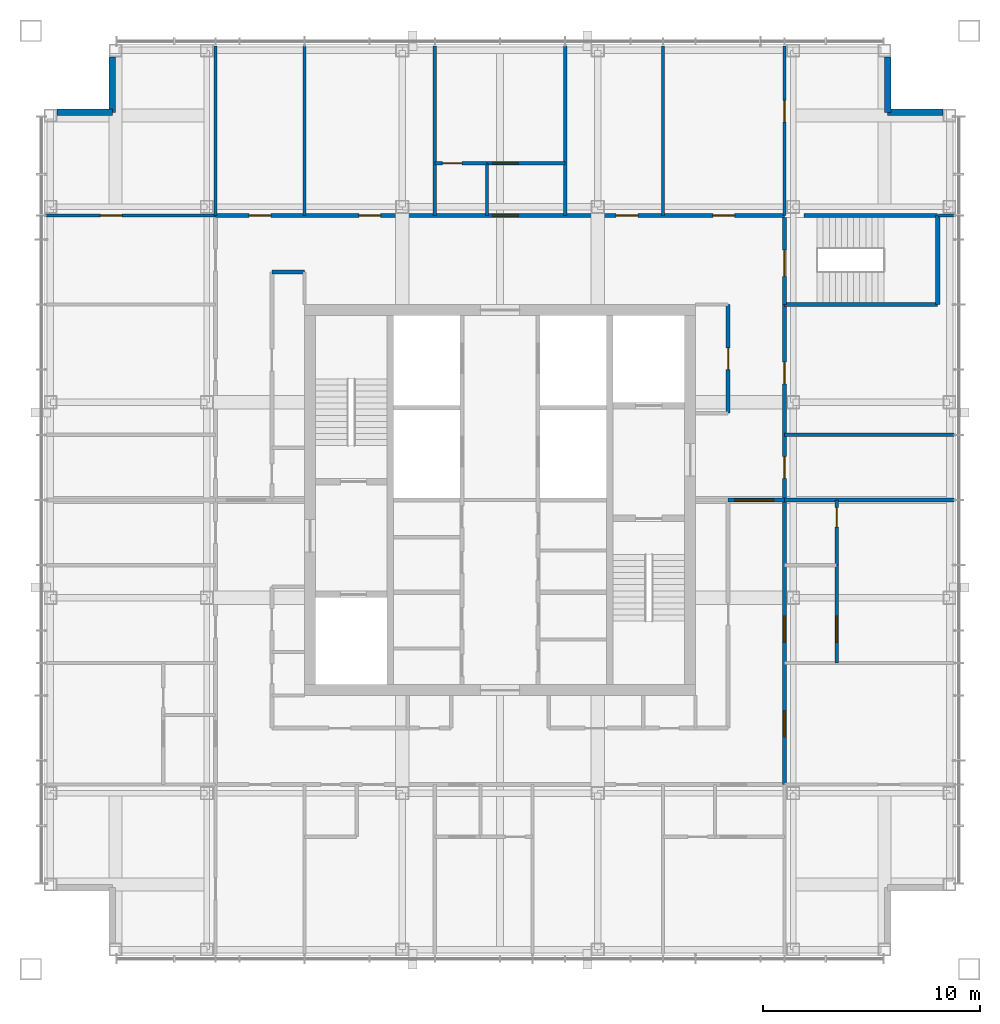
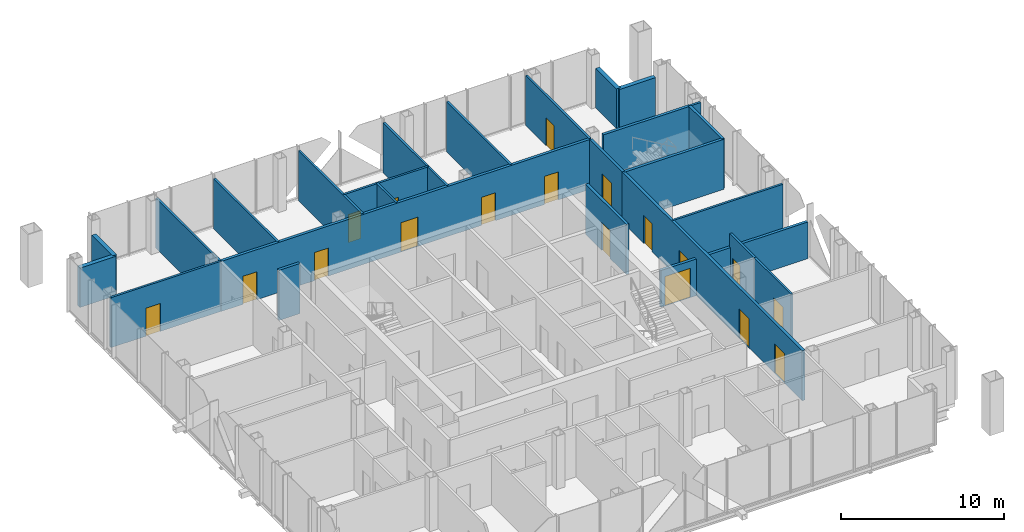
# One storey, part 10 of 12: 28 walls, 18 doors, 18 openings.
"""IFC4 building model written with IfcOpenShell, lengths in metres."""

from ifc_helpers import new_model, si_unit, direction, frame, frame_2d, origin, place, context, subcontext, project, spatial, rectangle, extrude, material, layer, layer_set, type_object, element, fill, save


model = new_model("IFC4")

# Units and contexts
model_context = context("Model", 3, precision=1e-05, world=origin(), true_north=direction((0.0, 1.0)))
body_context = subcontext(model_context, "Body", "Model", "MODEL_VIEW")
ifc_project = project(units=[si_unit("LENGTHUNIT", "METRE"), si_unit("AREAUNIT", "SQUARE_METRE"), si_unit("VOLUMEUNIT", "CUBIC_METRE"), si_unit("PLANEANGLEUNIT", "RADIAN"), si_unit("MASSUNIT", "GRAM", prefix="KILO")], contexts=[model_context])

# Site, building, storey
site_placement = place(None, origin())
site = spatial("IfcSite", under=ifc_project, at=site_placement, CompositionType="ELEMENT")
building_placement = place(site_placement, origin())
building = spatial("IfcBuilding", under=site, at=building_placement, Name="Malebo Sky Hospital", CompositionType="ELEMENT")
storey_placement = place(building_placement, frame((0.0, 0.0, 266.0)))
storey = spatial("IfcBuildingStorey", under=building, at=storey_placement, Name="L64", CompositionType="ELEMENT", Elevation=266.0)

# Wall, openings, doors
ifc_material_1 = material(Name="Gypsum board on steel studs", Category="steel")
ifc_layer_1 = layer(ifc_material_1, 0.199951171875)
ifc_layer_set_1 = layer_set([ifc_layer_1], Name="CORRIDOR WALL 200")
wall_type_1 = type_object("IfcWallType", Name="CORRIDOR WALL 200", PredefinedType="PARTITIONING", material=ifc_layer_set_1)
wall_1_placement = place(storey_placement, frame((46.89990234375, 75.10009765625, 0.0), z_axis=(0.0, 0.0, 1.0), x_axis=(1.0, 0.0, 0.0)))
wall_1 = element("IfcWall", 1, at=wall_1_placement, inside=storey, type_object=wall_type_1, Name="Corridor Wall 200 NCO", PredefinedType="PARTITIONING", context=body_context, shape_type="SweptSolid", body=[
    extrude(rectangle(XDim=26.2001953125, YDim=0.199951171875, at=frame_2d((13.10009765625, 0.0))), origin(), (0.0, 0.0, 1.0), 3.75),
])
opening_1_placement = place(wall_1_placement, frame((1.550048828125, 0.0, 0.0)))
opening_1 = element("IfcOpeningElement", 2, at=opening_1_placement, cuts=wall_1, Name="Opening D03", PredefinedType="OPENING", context=body_context, shape_type="SweptSolid", body=[
    extrude(rectangle(XDim=1.0, YDim=2.10009765625, at=frame_2d((0.5, 1.050048828125))), frame((0.0, 0.10986328125, 0.0), z_axis=(0.0, -1.0, 0.0), x_axis=(1.0, 0.0, 0.0)), (0.0, 0.0, 1.0), 0.219970703125),
])
opening_2_placement = place(wall_1_placement, frame((6.60009765625, 0.0, 0.0)))
opening_2 = element("IfcOpeningElement", 3, at=opening_2_placement, cuts=wall_1, Name="Opening D03", PredefinedType="OPENING", context=body_context, shape_type="SweptSolid", body=[
    extrude(rectangle(XDim=1.0, YDim=2.10009765625, at=frame_2d((0.5, 1.050048828125))), frame((0.0, 0.10986328125, 0.0), z_axis=(0.0, -1.0, 0.0), x_axis=(1.0, 0.0, 0.0)), (0.0, 0.0, 1.0), 0.219970703125),
])
opening_3_placement = place(wall_1_placement, frame((12.75, 0.0, 0.0)))
opening_3 = element("IfcOpeningElement", 4, at=opening_3_placement, cuts=wall_1, Name="Opening D18", PredefinedType="OPENING", context=body_context, shape_type="SweptSolid", body=[
    extrude(rectangle(XDim=1.199951171875, YDim=2.199951171875, at=frame_2d((0.60009765625, 1.10009765625))), frame((0.0, 0.10986328125, 0.0), z_axis=(0.0, -1.0, 0.0), x_axis=(1.0, 0.0, 0.0)), (0.0, 0.0, 1.0), 0.219970703125),
])
opening_4_placement = place(wall_1_placement, frame((18.449951171875, 0.0, 0.0)))
opening_4 = element("IfcOpeningElement", 5, at=opening_4_placement, cuts=wall_1, Name="Opening D03", PredefinedType="OPENING", context=body_context, shape_type="SweptSolid", body=[
    extrude(rectangle(XDim=1.0, YDim=2.10009765625, at=frame_2d((0.5, 1.050048828125))), frame((0.0, 0.10986328125, 0.0), z_axis=(0.0, -1.0, 0.0), x_axis=(1.0, 0.0, 0.0)), (0.0, 0.0, 1.0), 0.219970703125),
])
opening_5_placement = place(wall_1_placement, frame((22.89990234375, 0.0, 0.0)))
opening_5 = element("IfcOpeningElement", 6, at=opening_5_placement, cuts=wall_1, Name="Opening D03", PredefinedType="OPENING", context=body_context, shape_type="SweptSolid", body=[
    extrude(rectangle(XDim=1.0, YDim=2.10009765625, at=frame_2d((0.5, 1.050048828125))), frame((0.0, 0.10986328125, 0.0), z_axis=(0.0, -1.0, 0.0), x_axis=(1.0, 0.0, 0.0)), (0.0, 0.0, 1.0), 0.219970703125),
])
ifc_material_2 = material(Name="Hardwood-faced door leaf in steel frame", Category="steel")
door_type_1 = type_object("IfcDoorType", Name="ANTEROOM DOOR 1200", OperationType="SINGLE_SWING_LEFT", PredefinedType="DOOR", material=ifc_material_2)
door_1_placement = place(opening_3_placement, origin())
door_1 = element("IfcDoor", 7, at=door_1_placement, inside=storey, type_object=door_type_1, Name="Anteroom door", OperationType="SINGLE_SWING_LEFT", OverallHeight=2.199951171875, OverallWidth=1.199951171875, PredefinedType="DOOR", context=body_context, shape_type="SweptSolid", body=[
    extrude(rectangle(XDim=1.199951171875, YDim=2.199951171875, at=frame_2d((0.60009765625, 1.10009765625))), frame((0.0, 0.02490234375, 0.0), z_axis=(0.0, -1.0, 0.0), x_axis=(1.0, 0.0, 0.0)), (0.0, 0.0, 1.0), 0.050048828125),
])
fill(opening_3, door_1)
door_type_2 = type_object("IfcDoorType", Name="ROOM DOOR 1000", OperationType="SINGLE_SWING_LEFT", PredefinedType="DOOR", material=ifc_material_2)
door_2_placement = place(opening_1_placement, origin())
door_2 = element("IfcDoor", 8, at=door_2_placement, inside=storey, type_object=door_type_2, Name="Nurse station door", OperationType="SINGLE_SWING_LEFT", OverallHeight=2.10009765625, OverallWidth=1.0, PredefinedType="DOOR", context=body_context, shape_type="SweptSolid", body=[
    extrude(rectangle(XDim=1.0, YDim=2.10009765625, at=frame_2d((0.5, 1.050048828125))), frame((0.0, 0.02490234375, 0.0), z_axis=(0.0, -1.0, 0.0), x_axis=(1.0, 0.0, 0.0)), (0.0, 0.0, 1.0), 0.050048828125),
])
fill(opening_1, door_2)
door_3_placement = place(opening_2_placement, origin())
door_3 = element("IfcDoor", 9, at=door_3_placement, inside=storey, type_object=door_type_2, Name="Clean utility room door", OperationType="SINGLE_SWING_LEFT", OverallHeight=2.10009765625, OverallWidth=1.0, PredefinedType="DOOR", context=body_context, shape_type="SweptSolid", body=[
    extrude(rectangle(XDim=1.0, YDim=2.10009765625, at=frame_2d((0.5, 1.050048828125))), frame((0.0, 0.02490234375, 0.0), z_axis=(0.0, -1.0, 0.0), x_axis=(1.0, 0.0, 0.0)), (0.0, 0.0, 1.0), 0.050048828125),
])
fill(opening_2, door_3)
door_4_placement = place(opening_4_placement, origin())
door_4 = element("IfcDoor", 10, at=door_4_placement, inside=storey, type_object=door_type_2, Name="Dirty utility room door", OperationType="SINGLE_SWING_RIGHT", OverallHeight=2.10009765625, OverallWidth=1.0, PredefinedType="DOOR", context=body_context, shape_type="SweptSolid", body=[
    extrude(rectangle(XDim=1.0, YDim=2.10009765625, at=frame_2d((0.5, 1.050048828125))), frame((0.0, 0.02490234375, 0.0), z_axis=(0.0, -1.0, 0.0), x_axis=(1.0, 0.0, 0.0)), (0.0, 0.0, 1.0), 0.050048828125),
])
fill(opening_4, door_4)
door_5_placement = place(opening_5_placement, origin())
door_5 = element("IfcDoor", 11, at=door_5_placement, inside=storey, type_object=door_type_2, Name="Patient day room door", OperationType="SINGLE_SWING_RIGHT", OverallHeight=2.10009765625, OverallWidth=1.0, PredefinedType="DOOR", context=body_context, shape_type="SweptSolid", body=[
    extrude(rectangle(XDim=1.0, YDim=2.10009765625, at=frame_2d((0.5, 1.050048828125))), frame((0.0, 0.02490234375, 0.0), z_axis=(0.0, -1.0, 0.0), x_axis=(1.0, 0.0, 0.0)), (0.0, 0.0, 1.0), 0.050048828125),
])
fill(opening_5, door_5)

# Wall
wall_2_placement = place(storey_placement, frame((49.5, 72.5, 0.0), z_axis=(0.0, 0.0, 1.0), x_axis=(1.0, 0.0, 0.0)))
element("IfcWall", 12, at=wall_2_placement, inside=storey, type_object=wall_type_1, Name="Corridor Wall 200 NCIK", PredefinedType="PARTITIONING", context=body_context, shape_type="SweptSolid", body=[
    extrude(rectangle(XDim=1.5, YDim=0.199951171875, at=frame_2d((0.75, 0.0))), origin(), (0.0, 0.0, 1.0), 3.75),
])

# Wall, openings, doors
wall_3_placement = place(storey_placement, frame((73.10009765625, 71.0, 0.0), z_axis=(0.0, 0.0, 1.0), x_axis=(0.0, -1.0, 0.0)))
wall_3 = element("IfcWall", 13, at=wall_3_placement, inside=storey, type_object=wall_type_1, Name="Corridor Wall 200 ECO", PredefinedType="PARTITIONING", context=body_context, shape_type="SweptSolid", body=[
    extrude(rectangle(XDim=22.10009765625, YDim=0.199951171875, at=frame_2d((11.050048828125, 0.0))), origin(), (0.0, 0.0, 1.0), 3.75),
])
opening_6_placement = place(wall_3_placement, frame((2.64990234375, 0.0, 0.0)))
opening_6 = element("IfcOpeningElement", 14, at=opening_6_placement, cuts=wall_3, Name="Opening D03", PredefinedType="OPENING", context=body_context, shape_type="SweptSolid", body=[
    extrude(rectangle(XDim=1.0, YDim=2.10009765625, at=frame_2d((0.5, 1.050048828125))), frame((0.0, 0.10986328125, 0.0), z_axis=(0.0, -1.0, 0.0), x_axis=(1.0, 0.0, 0.0)), (0.0, 0.0, 1.0), 0.219970703125),
])
opening_7_placement = place(wall_3_placement, frame((7.0, 0.0, 0.0)))
opening_7 = element("IfcOpeningElement", 15, at=opening_7_placement, cuts=wall_3, Name="Opening D03", PredefinedType="OPENING", context=body_context, shape_type="SweptSolid", body=[
    extrude(rectangle(XDim=1.0, YDim=2.10009765625, at=frame_2d((0.5, 1.050048828125))), frame((0.0, 0.10986328125, 0.0), z_axis=(0.0, -1.0, 0.0), x_axis=(1.0, 0.0, 0.0)), (0.0, 0.0, 1.0), 0.219970703125),
])
opening_8_placement = place(wall_3_placement, frame((14.35009765625, 0.0, 0.0)))
opening_8 = element("IfcOpeningElement", 16, at=opening_8_placement, cuts=wall_3, Name="Opening D18", PredefinedType="OPENING", context=body_context, shape_type="SweptSolid", body=[
    extrude(rectangle(XDim=1.199951171875, YDim=2.199951171875, at=frame_2d((0.60009765625, 1.10009765625))), frame((0.0, 0.10986328125, 0.0), z_axis=(0.0, -1.0, 0.0), x_axis=(1.0, 0.0, 0.0)), (0.0, 0.0, 1.0), 0.219970703125),
])
opening_9_placement = place(wall_3_placement, frame((18.699951171875, 0.0, 0.0)))
opening_9 = element("IfcOpeningElement", 17, at=opening_9_placement, cuts=wall_3, Name="Opening D01", PredefinedType="OPENING", context=body_context, shape_type="SweptSolid", body=[
    extrude(rectangle(XDim=1.199951171875, YDim=2.199951171875, at=frame_2d((0.60009765625, 1.10009765625))), frame((0.0, 0.10986328125, 0.0), z_axis=(0.0, -1.0, 0.0), x_axis=(1.0, 0.0, 0.0)), (0.0, 0.0, 1.0), 0.219970703125),
])
door_6_placement = place(opening_8_placement, origin())
door_6 = element("IfcDoor", 18, at=door_6_placement, inside=storey, type_object=door_type_1, Name="Anteroom door", OperationType="SINGLE_SWING_RIGHT", OverallHeight=2.199951171875, OverallWidth=1.199951171875, PredefinedType="DOOR", context=body_context, shape_type="SweptSolid", body=[
    extrude(rectangle(XDim=1.199951171875, YDim=2.199951171875, at=frame_2d((0.60009765625, 1.10009765625))), frame((0.0, 0.02490234375, 0.0), z_axis=(0.0, -1.0, 0.0), x_axis=(1.0, 0.0, 0.0)), (0.0, 0.0, 1.0), 0.050048828125),
])
fill(opening_8, door_6)
door_type_3 = type_object("IfcDoorType", Name="BED DOOR 1200", OperationType="SINGLE_SWING_LEFT", PredefinedType="DOOR", material=ifc_material_2)
door_7_placement = place(opening_9_placement, origin())
door_7 = element("IfcDoor", 19, at=door_7_placement, inside=storey, type_object=door_type_3, Name="Dining room door", OperationType="SINGLE_SWING_RIGHT", OverallHeight=2.199951171875, OverallWidth=1.199951171875, PredefinedType="DOOR", context=body_context, shape_type="SweptSolid", body=[
    extrude(rectangle(XDim=1.199951171875, YDim=2.199951171875, at=frame_2d((0.60009765625, 1.10009765625))), frame((0.0, 0.02490234375, 0.0), z_axis=(0.0, -1.0, 0.0), x_axis=(1.0, 0.0, 0.0)), (0.0, 0.0, 1.0), 0.050048828125),
])
fill(opening_9, door_7)
door_8_placement = place(opening_6_placement, origin())
door_8 = element("IfcDoor", 20, at=door_8_placement, inside=storey, type_object=door_type_2, Name="Relatives' room door", OperationType="SINGLE_SWING_RIGHT", OverallHeight=2.10009765625, OverallWidth=1.0, PredefinedType="DOOR", context=body_context, shape_type="SweptSolid", body=[
    extrude(rectangle(XDim=1.0, YDim=2.10009765625, at=frame_2d((0.5, 1.050048828125))), frame((0.0, 0.02490234375, 0.0), z_axis=(0.0, -1.0, 0.0), x_axis=(1.0, 0.0, 0.0)), (0.0, 0.0, 1.0), 0.050048828125),
])
fill(opening_6, door_8)
door_9_placement = place(opening_7_placement, origin())
door_9 = element("IfcDoor", 21, at=door_9_placement, inside=storey, type_object=door_type_2, Name="Ward pantry door", OperationType="SINGLE_SWING_RIGHT", OverallHeight=2.10009765625, OverallWidth=1.0, PredefinedType="DOOR", context=body_context, shape_type="SweptSolid", body=[
    extrude(rectangle(XDim=1.0, YDim=2.10009765625, at=frame_2d((0.5, 1.050048828125))), frame((0.0, 0.02490234375, 0.0), z_axis=(0.0, -1.0, 0.0), x_axis=(1.0, 0.0, 0.0)), (0.0, 0.0, 1.0), 0.050048828125),
])
fill(opening_7, door_9)

# Wall, opening, door
wall_4_placement = place(storey_placement, frame((70.5, 71.0, 0.0), z_axis=(0.0, 0.0, 1.0), x_axis=(0.0, -1.0, 0.0)))
wall_4 = element("IfcWall", 22, at=wall_4_placement, inside=storey, type_object=wall_type_1, Name="Corridor Wall 200 ECI1", PredefinedType="PARTITIONING", context=body_context, shape_type="SweptSolid", body=[
    extrude(rectangle(XDim=5.0, YDim=0.199951171875, at=frame_2d((2.5, 0.0))), origin(), (0.0, 0.0, 1.0), 3.75),
])
opening_10_placement = place(wall_4_placement, frame((2.0, 0.0, 0.0)))
opening_10 = element("IfcOpeningElement", 23, at=opening_10_placement, cuts=wall_4, Name="Opening D03", PredefinedType="OPENING", context=body_context, shape_type="SweptSolid", body=[
    extrude(rectangle(XDim=1.0, YDim=2.10009765625, at=frame_2d((0.5, 1.050048828125))), frame((0.0, 0.10986328125, 0.0), z_axis=(0.0, -1.0, 0.0), x_axis=(1.0, 0.0, 0.0)), (0.0, 0.0, 1.0), 0.219970703125),
])
door_10_placement = place(opening_10_placement, origin())
door_10 = element("IfcDoor", 24, at=door_10_placement, inside=storey, type_object=door_type_2, Name="Hoist store door", OperationType="SINGLE_SWING_LEFT", OverallHeight=2.10009765625, OverallWidth=1.0, PredefinedType="DOOR", context=body_context, shape_type="SweptSolid", body=[
    extrude(rectangle(XDim=1.0, YDim=2.10009765625, at=frame_2d((0.5, 1.050048828125))), frame((0.0, 0.02490234375, 0.0), z_axis=(0.0, -1.0, 0.0), x_axis=(1.0, 0.0, 0.0)), (0.0, 0.0, 1.0), 0.050048828125),
])
fill(opening_10, door_10)

# Walls
ifc_material_3 = material(Name="Anodised aluminium rainscreen on steel framing", Category="steel")
ifc_layer_2 = layer(ifc_material_3, 0.300048828125)
ifc_layer_set_2 = layer_set([ifc_layer_2], Name="NOTCH RAINSCREEN WALL 300")
wall_type_2 = type_object("IfcWallType", Name="NOTCH RAINSCREEN WALL 300", PredefinedType="ELEMENTEDWALL", material=ifc_layer_set_2)
for number, where, z_axis, x_axis, name in (
    (25, (77.85009765625, 82.39990234375, 0.0), (0.0, 0.0, 1.0), (0.0, -1.0, 0.0), "Notch rainscreen wall N1 L64"),
    (26, (77.85009765625, 79.85009765625, 0.0), (0.0, 0.0, 1.0), (1.0, 0.0, 0.0), "Notch rainscreen wall N2 L64"),
    (27, (39.60009765625, 79.85009765625, 0.0), (0.0, 0.0, 1.0), (1.0, 0.0, 0.0), "Notch rainscreen wall W1 L64"),
    (28, (42.14990234375, 79.85009765625, 0.0), (0.0, 0.0, 1.0), (0.0, 1.0, 0.0), "Notch rainscreen wall W2 L64"),
):
    element("IfcWall", number, at=place(storey_placement, frame(where, z_axis=z_axis, x_axis=x_axis)), inside=storey, type_object=wall_type_2, Name=name, PredefinedType="ELEMENTEDWALL", context=body_context, shape_type="SweptSolid", body=[
        extrude(rectangle(XDim=2.5498046875, YDim=0.300048828125, at=frame_2d((1.27490234375, 0.0))), origin(), (0.0, 0.0, 1.0), 2.949951171875),
    ])
ifc_layer_3 = layer(ifc_material_1, 0.14990234375)
ifc_layer_set_3 = layer_set([ifc_layer_3], Name="PARTITION 150")
wall_type_3 = type_object("IfcWallType", Name="PARTITION 150", PredefinedType="PARTITIONING", material=ifc_layer_set_3)
for number, where, z_axis, x_axis, name in (
    (29, (51.0, 75.10009765625, 0.0), (0.0, 0.0, 1.0), (0.0, 1.0, 0.0), "Partition 150 NP-9.0"),
    (30, (57.0, 75.10009765625, 0.0), (0.0, 0.0, 1.0), (0.0, 1.0, 0.0), "Partition 150 NP-3.0"),
    (31, (63.0, 75.10009765625, 0.0), (0.0, 0.0, 1.0), (0.0, 1.0, 0.0), "Partition 150 NP+3.0"),
    (32, (67.5, 75.10009765625, 0.0), (0.0, 0.0, 1.0), (0.0, 1.0, 0.0), "Partition 150 NP+7.5"),
    (33, (46.89990234375, 75.10009765625, 0.0), (0.0, 0.0, 1.0), (0.0, 1.0, 0.0), "Partition 150 NP0"),
):
    element("IfcWall", number, at=place(storey_placement, frame(where, z_axis=z_axis, x_axis=x_axis)), inside=storey, type_object=wall_type_3, Name=name, PredefinedType="PARTITIONING", context=body_context, shape_type="SweptSolid", body=[
        extrude(rectangle(XDim=7.7998046875, YDim=0.14990234375, at=frame_2d((3.89990234375, 0.0))), origin(), (0.0, 0.0, 1.0), 3.75),
    ])

# Wall, opening, door
wall_5_placement = place(storey_placement, frame((57.0, 77.5, 0.0), z_axis=(0.0, 0.0, 1.0), x_axis=(1.0, 0.0, 0.0)))
wall_5 = element("IfcWall", 34, at=wall_5_placement, inside=storey, type_object=wall_type_3, Name="Partition 150 NE2F", PredefinedType="PARTITIONING", context=body_context, shape_type="SweptSolid", body=[
    extrude(rectangle(XDim=2.39990234375, YDim=0.14990234375, at=frame_2d((1.199951171875, 0.0))), origin(), (0.0, 0.0, 1.0), 3.75),
])
opening_11_placement = place(wall_5_placement, frame((0.35009765625, 0.0, 0.0)))
opening_11 = element("IfcOpeningElement", 35, at=opening_11_placement, cuts=wall_5, Name="Opening D02", PredefinedType="OPENING", context=body_context, shape_type="SweptSolid", body=[
    extrude(rectangle(XDim=0.89990234375, YDim=2.10009765625, at=frame_2d((0.449951171875, 1.050048828125))), frame((0.0, 0.0849609375, 0.0), z_axis=(0.0, -1.0, 0.0), x_axis=(1.0, 0.0, 0.0)), (0.0, 0.0, 1.0), 0.169921875),
])
door_type_4 = type_object("IfcDoorType", Name="EN-SUITE DOOR 900", OperationType="SINGLE_SWING_LEFT", PredefinedType="DOOR", material=ifc_material_2)
door_11_placement = place(opening_11_placement, origin())
door_11 = element("IfcDoor", 36, at=door_11_placement, inside=storey, type_object=door_type_4, Name="En-suite door", OperationType="SINGLE_SWING_LEFT", OverallHeight=2.10009765625, OverallWidth=0.89990234375, PredefinedType="DOOR", context=body_context, shape_type="SweptSolid", body=[
    extrude(rectangle(XDim=0.89990234375, YDim=2.10009765625, at=frame_2d((0.449951171875, 1.050048828125))), frame((0.0, 0.02490234375, 0.0), z_axis=(0.0, -1.0, 0.0), x_axis=(1.0, 0.0, 0.0)), (0.0, 0.0, 1.0), 0.050048828125),
])
fill(opening_11, door_11)

# Wall
wall_6_placement = place(storey_placement, frame((59.39990234375, 75.10009765625, 0.0), z_axis=(0.0, 0.0, 1.0), x_axis=(0.0, 1.0, 0.0)))
element("IfcWall", 37, at=wall_6_placement, inside=storey, type_object=wall_type_3, Name="Partition 150 NE2S", PredefinedType="PARTITIONING", context=body_context, shape_type="SweptSolid", body=[
    extrude(rectangle(XDim=2.39990234375, YDim=0.14990234375, at=frame_2d((1.199951171875, 0.0))), origin(), (0.0, 0.0, 1.0), 3.75),
])

# Wall, opening, door
wall_7_placement = place(storey_placement, frame((73.10009765625, 75.10009765625, 0.0), z_axis=(0.0, 0.0, 1.0), x_axis=(0.0, 1.0, 0.0)))
wall_7 = element("IfcWall", 38, at=wall_7_placement, inside=storey, type_object=wall_type_3, Name="Partition 150 NK", PredefinedType="PARTITIONING", context=body_context, shape_type="SweptSolid", body=[
    extrude(rectangle(XDim=7.7998046875, YDim=0.14990234375, at=frame_2d((3.89990234375, 0.0))), origin(), (0.0, 0.0, 1.0), 3.75),
])
opening_12_placement = place(wall_7_placement, frame((4.300048828125, 0.0, 0.0)))
opening_12 = element("IfcOpeningElement", 39, at=opening_12_placement, cuts=wall_7, Name="Opening D03", PredefinedType="OPENING", context=body_context, shape_type="SweptSolid", body=[
    extrude(rectangle(XDim=1.0, YDim=2.10009765625, at=frame_2d((0.5, 1.050048828125))), frame((0.0, 0.0849609375, 0.0), z_axis=(0.0, -1.0, 0.0), x_axis=(1.0, 0.0, 0.0)), (0.0, 0.0, 1.0), 0.169921875),
])
door_12_placement = place(opening_12_placement, origin())
door_12 = element("IfcDoor", 40, at=door_12_placement, inside=storey, type_object=door_type_2, Name="Quiet room door", OperationType="SINGLE_SWING_RIGHT", OverallHeight=2.10009765625, OverallWidth=1.0, PredefinedType="DOOR", context=body_context, shape_type="SweptSolid", body=[
    extrude(rectangle(XDim=1.0, YDim=2.10009765625, at=frame_2d((0.5, 1.050048828125))), frame((0.0, 0.02490234375, 0.0), z_axis=(0.0, -1.0, 0.0), x_axis=(1.0, 0.0, 0.0)), (0.0, 0.0, 1.0), 0.050048828125),
])
fill(opening_12, door_12)

wall_8_placement = place(storey_placement, frame((46.89990234375, 75.10009765625, 0.0), z_axis=(0.0, 0.0, 1.0), x_axis=(-1.0, 0.0, 0.0)))
wall_8 = element("IfcWall", 41, at=wall_8_placement, inside=storey, type_object=wall_type_3, Name="Partition 150 WK", PredefinedType="PARTITIONING", context=body_context, shape_type="SweptSolid", body=[
    extrude(rectangle(XDim=7.7998046875, YDim=0.14990234375, at=frame_2d((3.89990234375, 0.0))), origin(), (0.0, 0.0, 1.0), 3.75),
])
opening_13_placement = place(wall_8_placement, frame((4.300048828125, 0.0, 0.0)))
opening_13 = element("IfcOpeningElement", 42, at=opening_13_placement, cuts=wall_8, Name="Opening D03", PredefinedType="OPENING", context=body_context, shape_type="SweptSolid", body=[
    extrude(rectangle(XDim=1.0, YDim=2.10009765625, at=frame_2d((0.5, 1.050048828125))), frame((0.0, 0.0849609375, 0.0), z_axis=(0.0, -1.0, 0.0), x_axis=(1.0, 0.0, 0.0)), (0.0, 0.0, 1.0), 0.169921875),
])
door_13_placement = place(opening_13_placement, origin())
door_13 = element("IfcDoor", 43, at=door_13_placement, inside=storey, type_object=door_type_2, Name="Relaxation room door", OperationType="SINGLE_SWING_RIGHT", OverallHeight=2.10009765625, OverallWidth=1.0, PredefinedType="DOOR", context=body_context, shape_type="SweptSolid", body=[
    extrude(rectangle(XDim=1.0, YDim=2.10009765625, at=frame_2d((0.5, 1.050048828125))), frame((0.0, 0.02490234375, 0.0), z_axis=(0.0, -1.0, 0.0), x_axis=(1.0, 0.0, 0.0)), (0.0, 0.0, 1.0), 0.050048828125),
])
fill(opening_13, door_13)

# Walls
wall_9_placement = place(storey_placement, frame((73.10009765625, 65.0, 0.0), z_axis=(0.0, 0.0, 1.0), x_axis=(1.0, 0.0, 0.0)))
element("IfcWall", 44, at=wall_9_placement, inside=storey, type_object=wall_type_3, Name="Partition 150 EP-3.0", PredefinedType="PARTITIONING", context=body_context, shape_type="SweptSolid", body=[
    extrude(rectangle(XDim=7.7998046875, YDim=0.14990234375, at=frame_2d((3.89990234375, 0.0))), origin(), (0.0, 0.0, 1.0), 3.75),
])
wall_10_placement = place(storey_placement, frame((80.199951171875, 75.10009765625, 0.0), z_axis=(0.0, 0.0, 1.0), x_axis=(1.0, 0.0, 0.0)))
element("IfcWall", 45, at=wall_10_placement, inside=storey, type_object=wall_type_3, Name="Partition 150 EP0", PredefinedType="PARTITIONING", context=body_context, shape_type="SweptSolid", body=[
    extrude(rectangle(XDim=0.699951171875, YDim=0.14990234375, at=frame_2d((0.35009765625, 0.0))), origin(), (0.0, 0.0, 1.0), 3.75),
])

# Wall, opening, door
wall_11_placement = place(storey_placement, frame((75.5, 62.0, 0.0), z_axis=(0.0, 0.0, 1.0), x_axis=(0.0, -1.0, 0.0)))
wall_11 = element("IfcWall", 46, at=wall_11_placement, inside=storey, type_object=wall_type_3, Name="Partition 150 EE3F", PredefinedType="PARTITIONING", context=body_context, shape_type="SweptSolid", body=[
    extrude(rectangle(XDim=3.0, YDim=0.14990234375, at=frame_2d((1.5, 0.0))), origin(), (0.0, 0.0, 1.0), 3.75),
])
opening_14_placement = place(wall_11_placement, frame((0.35009765625, 0.0, 0.0)))
opening_14 = element("IfcOpeningElement", 47, at=opening_14_placement, cuts=wall_11, Name="Opening D02", PredefinedType="OPENING", context=body_context, shape_type="SweptSolid", body=[
    extrude(rectangle(XDim=0.89990234375, YDim=2.10009765625, at=frame_2d((0.449951171875, 1.050048828125))), frame((0.0, 0.0849609375, 0.0), z_axis=(0.0, -1.0, 0.0), x_axis=(1.0, 0.0, 0.0)), (0.0, 0.0, 1.0), 0.169921875),
])
door_14_placement = place(opening_14_placement, origin())
door_14 = element("IfcDoor", 48, at=door_14_placement, inside=storey, type_object=door_type_4, Name="En-suite door", OperationType="SINGLE_SWING_LEFT", OverallHeight=2.10009765625, OverallWidth=0.89990234375, PredefinedType="DOOR", context=body_context, shape_type="SweptSolid", body=[
    extrude(rectangle(XDim=0.89990234375, YDim=2.10009765625, at=frame_2d((0.449951171875, 1.050048828125))), frame((0.0, 0.02490234375, 0.0), z_axis=(0.0, -1.0, 0.0), x_axis=(1.0, 0.0, 0.0)), (0.0, 0.0, 1.0), 0.050048828125),
])
fill(opening_14, door_14)

ifc_material_4 = material(Name="Sealed gypsum board on steel studs, taped to the slab", Category="steel")
ifc_layer_4 = layer(ifc_material_4, 0.14990234375)
ifc_layer_set_4 = layer_set([ifc_layer_4], Name="SEALED ISOLATION PARTITION 150")
wall_type_4 = type_object("IfcWallType", Name="SEALED ISOLATION PARTITION 150", PredefinedType="PARTITIONING", material=ifc_layer_set_4)
wall_12_placement = place(storey_placement, frame((59.39990234375, 77.5, 0.0), z_axis=(0.0, 0.0, 1.0), x_axis=(1.0, 0.0, 0.0)))
wall_12 = element("IfcWall", 49, at=wall_12_placement, inside=storey, type_object=wall_type_4, Name="Sealed Isolation Partition 150 NA2F", PredefinedType="PARTITIONING", context=body_context, shape_type="SweptSolid", body=[
    extrude(rectangle(XDim=3.60009765625, YDim=0.14990234375, at=frame_2d((1.800048828125, 0.0))), origin(), (0.0, 0.0, 1.0), 3.75),
])
opening_15_placement = place(wall_12_placement, frame((0.25, 0.0, 0.0)))
opening_15 = element("IfcOpeningElement", 50, at=opening_15_placement, cuts=wall_12, Name="Opening D19", PredefinedType="OPENING", context=body_context, shape_type="SweptSolid", body=[
    extrude(rectangle(XDim=1.199951171875, YDim=2.199951171875, at=frame_2d((0.60009765625, 1.10009765625))), frame((0.0, 0.0849609375, 0.0), z_axis=(0.0, -1.0, 0.0), x_axis=(1.0, 0.0, 0.0)), (0.0, 0.0, 1.0), 0.169921875),
])
ifc_material_5 = material(Name="Hardwood-faced door leaf with perimeter seals in steel frame", Category="steel")
door_type_5 = type_object("IfcDoorType", Name="SEALED ISOLATION ROOM DOOR 1200", OperationType="SINGLE_SWING_LEFT", PredefinedType="DOOR", material=ifc_material_5)
door_15_placement = place(opening_15_placement, origin())
door_15 = element("IfcDoor", 51, at=door_15_placement, inside=storey, type_object=door_type_5, Name="Isolation room door", OperationType="SINGLE_SWING_LEFT", OverallHeight=2.199951171875, OverallWidth=1.199951171875, PredefinedType="DOOR", context=body_context, shape_type="SweptSolid", body=[
    extrude(rectangle(XDim=1.199951171875, YDim=2.199951171875, at=frame_2d((0.60009765625, 1.10009765625))), frame((0.0, 0.02490234375, 0.0), z_axis=(0.0, -1.0, 0.0), x_axis=(1.0, 0.0, 0.0)), (0.0, 0.0, 1.0), 0.050048828125),
])
fill(opening_15, door_15)

wall_13_placement = place(storey_placement, frame((75.5, 59.0, 0.0), z_axis=(0.0, 0.0, 1.0), x_axis=(0.0, -1.0, 0.0)))
wall_13 = element("IfcWall", 52, at=wall_13_placement, inside=storey, type_object=wall_type_4, Name="Sealed Isolation Partition 150 EA3F", PredefinedType="PARTITIONING", context=body_context, shape_type="SweptSolid", body=[
    extrude(rectangle(XDim=4.5, YDim=0.14990234375, at=frame_2d((2.25, 0.0))), origin(), (0.0, 0.0, 1.0), 3.75),
])
opening_16_placement = place(wall_13_placement, frame((2.35009765625, 0.0, 0.0)))
opening_16 = element("IfcOpeningElement", 53, at=opening_16_placement, cuts=wall_13, Name="Opening D19", PredefinedType="OPENING", context=body_context, shape_type="SweptSolid", body=[
    extrude(rectangle(XDim=1.199951171875, YDim=2.199951171875, at=frame_2d((0.60009765625, 1.10009765625))), frame((0.0, 0.0849609375, 0.0), z_axis=(0.0, -1.0, 0.0), x_axis=(1.0, 0.0, 0.0)), (0.0, 0.0, 1.0), 0.169921875),
])
door_16_placement = place(opening_16_placement, origin())
door_16 = element("IfcDoor", 54, at=door_16_placement, inside=storey, type_object=door_type_5, Name="Isolation room door", OperationType="SINGLE_SWING_RIGHT", OverallHeight=2.199951171875, OverallWidth=1.199951171875, PredefinedType="DOOR", context=body_context, shape_type="SweptSolid", body=[
    extrude(rectangle(XDim=1.199951171875, YDim=2.199951171875, at=frame_2d((0.60009765625, 1.10009765625))), frame((0.0, 0.02490234375, 0.0), z_axis=(0.0, -1.0, 0.0), x_axis=(1.0, 0.0, 0.0)), (0.0, 0.0, 1.0), 0.050048828125),
])
fill(opening_16, door_16)

# Wall
ifc_material_6 = material(Name="Concrete blockwork", Category="masonry")
ifc_layer_5 = layer(ifc_material_6, 0.199951171875)
ifc_layer_set_5 = layer_set([ifc_layer_5], Name="SMOKE BARRIER WALL 200")
wall_type_5 = type_object("IfcWallType", Name="SMOKE BARRIER WALL 200", PredefinedType="SOLIDWALL", material=ifc_layer_set_5)
wall_14_placement = place(storey_placement, frame((73.10009765625, 62.0, 0.0), z_axis=(0.0, 0.0, 1.0), x_axis=(1.0, 0.0, 0.0)))
element("IfcWall", 55, at=wall_14_placement, inside=storey, type_object=wall_type_5, Name="Smoke Barrier Wall 200 EP+0.0", PredefinedType="SOLIDWALL", context=body_context, shape_type="SweptSolid", body=[
    extrude(rectangle(XDim=7.7998046875, YDim=0.199951171875, at=frame_2d((3.89990234375, 0.0))), origin(), (0.0, 0.0, 1.0), 2.75),
])

# Wall, opening, door
wall_15_placement = place(storey_placement, frame((70.5, 62.0, 0.0), z_axis=(0.0, 0.0, 1.0), x_axis=(1.0, 0.0, 0.0)))
wall_15 = element("IfcWall", 56, at=wall_15_placement, inside=storey, type_object=wall_type_5, Name="Smoke Barrier Wall 200 ESB", PredefinedType="SOLIDWALL", context=body_context, shape_type="SweptSolid", body=[
    extrude(rectangle(XDim=2.60009765625, YDim=0.199951171875, at=frame_2d((1.300048828125, 0.0))), origin(), (0.0, 0.0, 1.0), 2.75),
])
opening_17_placement = place(wall_15_placement, frame((0.300048828125, 0.0, 0.0)))
opening_17 = element("IfcOpeningElement", 57, at=opening_17_placement, cuts=wall_15, Name="Opening D05", PredefinedType="OPENING", context=body_context, shape_type="SweptSolid", body=[
    extrude(rectangle(XDim=1.800048828125, YDim=2.199951171875, at=frame_2d((0.89990234375, 1.10009765625))), frame((0.0, 0.10986328125, 0.0), z_axis=(0.0, -1.0, 0.0), x_axis=(1.0, 0.0, 0.0)), (0.0, 0.0, 1.0), 0.219970703125),
])
door_type_6 = type_object("IfcDoorType", Name="SMOKE DOOR PAIR 1800", OperationType="DOUBLE_DOOR_DOUBLE_SWING", PredefinedType="DOOR", material=ifc_material_2)
door_17_placement = place(opening_17_placement, origin())
door_17 = element("IfcDoor", 58, at=door_17_placement, inside=storey, type_object=door_type_6, Name="Smoke compartment door pair", OperationType="DOUBLE_DOOR_DOUBLE_SWING", OverallHeight=2.199951171875, OverallWidth=1.800048828125, PredefinedType="DOOR", context=body_context, shape_type="SweptSolid", body=[
    extrude(rectangle(XDim=1.800048828125, YDim=2.199951171875, at=frame_2d((0.89990234375, 1.10009765625))), frame((0.0, 0.02490234375, 0.0), z_axis=(0.0, -1.0, 0.0), x_axis=(1.0, 0.0, 0.0)), (0.0, 0.0, 1.0), 0.050048828125),
])
fill(opening_17, door_17)

ifc_material_7 = material(Name="Concrete C40/50", Category="concrete")
ifc_layer_6 = layer(ifc_material_7, 0.199951171875)
ifc_layer_set_6 = layer_set([ifc_layer_6], Name="STAIR ENCLOSURE WALL 200")
wall_type_6 = type_object("IfcWallType", Name="STAIR ENCLOSURE WALL 200", PredefinedType="SOLIDWALL", material=ifc_layer_set_6)
wall_16_placement = place(storey_placement, frame((73.10009765625, 75.0, 0.0), z_axis=(0.0, 0.0, 1.0), x_axis=(0.0, -1.0, 0.0)))
wall_16 = element("IfcWall", 59, at=wall_16_placement, inside=storey, type_object=wall_type_6, Name="Stair Enclosure Wall 200 ST3W", PredefinedType="SOLIDWALL", context=body_context, shape_type="SweptSolid", body=[
    extrude(rectangle(XDim=4.0, YDim=0.199951171875, at=frame_2d((2.0, 0.0))), origin(), (0.0, 0.0, 1.0), 3.75),
])
opening_18_placement = place(wall_16_placement, frame((1.5, 0.0, 0.0)))
opening_18 = element("IfcOpeningElement", 60, at=opening_18_placement, cuts=wall_16, Name="Opening D08", PredefinedType="OPENING", context=body_context, shape_type="SweptSolid", body=[
    extrude(rectangle(XDim=1.199951171875, YDim=2.10009765625, at=frame_2d((0.60009765625, 1.050048828125))), frame((0.0, 0.10986328125, 0.0), z_axis=(0.0, -1.0, 0.0), x_axis=(1.0, 0.0, 0.0)), (0.0, 0.0, 1.0), 0.219970703125),
])
door_type_7 = type_object("IfcDoorType", Name="STAIR DOOR 1200", OperationType="SINGLE_SWING_LEFT", PredefinedType="DOOR", material=ifc_material_2)
door_18_placement = place(opening_18_placement, origin())
door_18 = element("IfcDoor", 61, at=door_18_placement, inside=storey, type_object=door_type_7, Name="Stair S3 door", OperationType="SINGLE_SWING_RIGHT", OverallHeight=2.10009765625, OverallWidth=1.199951171875, PredefinedType="DOOR", context=body_context, shape_type="SweptSolid", body=[
    extrude(rectangle(XDim=1.199951171875, YDim=2.10009765625, at=frame_2d((0.60009765625, 1.050048828125))), frame((0.0, 0.02490234375, 0.0), z_axis=(0.0, -1.0, 0.0), x_axis=(1.0, 0.0, 0.0)), (0.0, 0.0, 1.0), 0.050048828125),
])
fill(opening_18, door_18)

# Walls
wall_17_placement = place(storey_placement, frame((73.10009765625, 71.0, 0.0), z_axis=(0.0, 0.0, 1.0), x_axis=(1.0, 0.0, 0.0)))
element("IfcWall", 62, at=wall_17_placement, inside=storey, type_object=wall_type_6, Name="Stair Enclosure Wall 200 ST3S", PredefinedType="SOLIDWALL", context=body_context, shape_type="SweptSolid", body=[
    extrude(rectangle(XDim=7.0498046875, YDim=0.199951171875, at=frame_2d((3.52490234375, 0.0))), origin(), (0.0, 0.0, 1.0), 3.75),
])
wall_18_placement = place(storey_placement, frame((80.14990234375, 71.0, 0.0), z_axis=(0.0, 0.0, 1.0), x_axis=(0.0, 1.0, 0.0)))
element("IfcWall", 63, at=wall_18_placement, inside=storey, type_object=wall_type_6, Name="Stair Enclosure Wall 200 ST3EE", PredefinedType="SOLIDWALL", context=body_context, shape_type="SweptSolid", body=[
    extrude(rectangle(XDim=4.10009765625, YDim=0.199951171875, at=frame_2d((2.050048828125, 0.0))), origin(), (0.0, 0.0, 1.0), 3.75),
])
wall_19_placement = place(storey_placement, frame((74.0, 75.10009765625, 0.0), z_axis=(0.0, 0.0, 1.0), x_axis=(1.0, 0.0, 0.0)))
element("IfcWall", 64, at=wall_19_placement, inside=storey, type_object=wall_type_6, Name="Stair Enclosure Wall 200 ST3N", PredefinedType="SOLIDWALL", context=body_context, shape_type="SweptSolid", body=[
    extrude(rectangle(XDim=6.14990234375, YDim=0.199951171875, at=frame_2d((3.074951171875, 0.0))), origin(), (0.0, 0.0, 1.0), 3.75),
])

save(model, "model.ifc")
